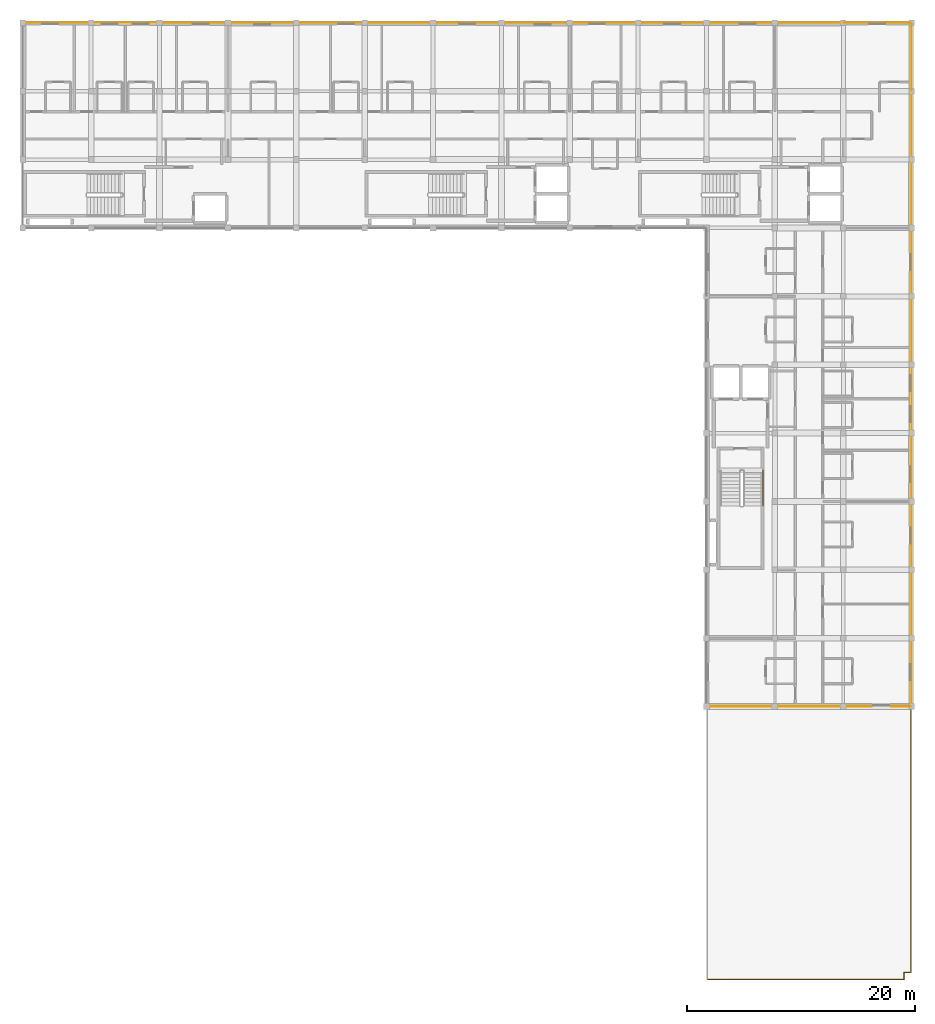
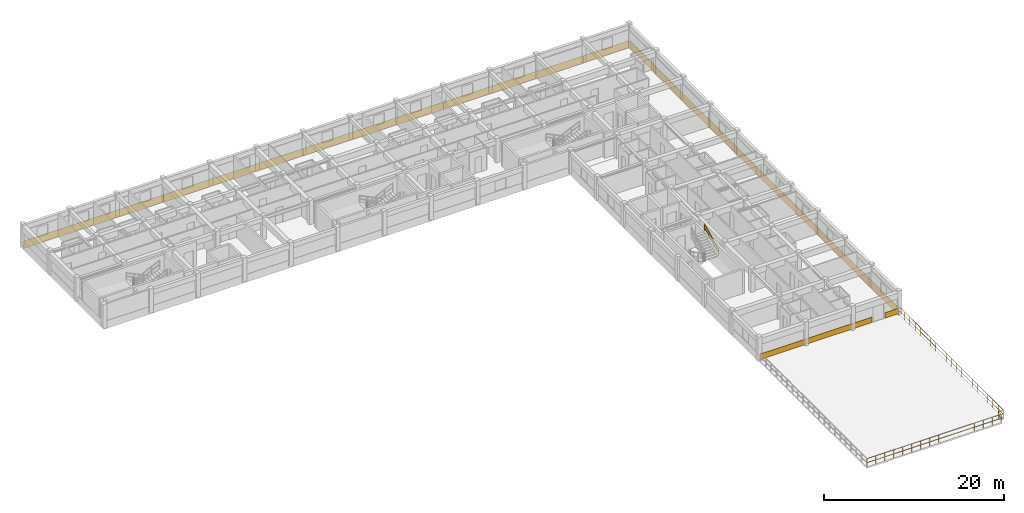
# One storey, part 14 of 14: 11 coverings, 2 railings.
"""IFC4 building model written with IfcOpenShell, lengths in metres."""

from ifc_helpers import new_model, si_unit, direction, frame, origin, origin_2d, place, context, subcontext, project, spatial, polyline, circle, outline, extrude, material, layer, layer_set, type_object, element, save


model = new_model("IFC4")

# Units and contexts
model_context = context("Model", 3, precision=1e-05, world=origin(), true_north=direction((0.0, 1.0)))
body_context = subcontext(model_context, "Body", "Model", "MODEL_VIEW")
ifc_project = project(units=[si_unit("LENGTHUNIT", "METRE"), si_unit("AREAUNIT", "SQUARE_METRE"), si_unit("VOLUMEUNIT", "CUBIC_METRE"), si_unit("PLANEANGLEUNIT", "RADIAN"), si_unit("MASSUNIT", "GRAM", prefix="KILO"), si_unit("THERMODYNAMICTEMPERATUREUNIT", "KELVIN"), si_unit("POWERUNIT", "WATT")], contexts=[model_context])

# Site, building, storey
site_placement = place(None, origin())
site = spatial("IfcSite", under=ifc_project, at=site_placement, CompositionType="ELEMENT")
building_placement = place(site_placement, origin())
building = spatial("IfcBuilding", under=site, at=building_placement, Name="Phaisarnlok Congress Hotel", CompositionType="ELEMENT")
storey_placement = place(building_placement, frame((0.0, 0.0, 44.699951171875)))
storey = spatial("IfcBuildingStorey", under=building, at=storey_placement, Name="L11", CompositionType="ELEMENT", Elevation=44.699951171875)

# Coverings
ifc_material_1 = material(Name="Anodised Silver Aluminium Alloy 6063-T6", Category="aluminium")
ifc_layer = layer(ifc_material_1, 0.031982421875, Name="Anodised Silver Aluminium Alloy 6063-T6")
ifc_layer_set = layer_set([ifc_layer], Name="Anodised Silver Aluminium Alloy 6063-T6")
covering_type = type_object("IfcCoveringType", Name="COV-SPAND-ALU", PredefinedType="CLADDING", material=ifc_layer_set)
for number, where, z_axis, x_axis, name in (
    (1, (120.06005859375, 125.9951171875, -0.280029296875), (0.0, 1.0, 0.0), (-1.0, 0.0, 0.0), "Swiss minimalist anodised silver rainscreen band CL-02 (L11 N)"),
    (2, (138.06005859375, 125.9951171875, -0.280029296875), (0.0, 1.0, 0.0), (-1.0, 0.0, 0.0), "Swiss minimalist anodised silver rainscreen band CL-02 (L11 N)"),
    (3, (156.06005859375, 125.9951171875, -0.280029296875), (0.0, 1.0, 0.0), (-1.0, 0.0, 0.0), "Swiss minimalist anodised silver rainscreen band CL-02 (L11 N)"),
    (4, (174.06005859375, 125.9951171875, -0.280029296875), (0.0, 1.0, 0.0), (-1.0, 0.0, 0.0), "Swiss minimalist anodised silver rainscreen band CL-02 (L11 N)"),
):
    element("IfcCovering", number, at=place(storey_placement, frame(where, z_axis=z_axis, x_axis=x_axis)), inside=storey, type_object=covering_type, Name=name, PredefinedType="CLADDING", context=body_context, shape_type="SweptSolid", body=[
        extrude(outline(polyline([(0.0, 0.0), (18.0, 0.0), (18.0, 1.050048828125), (0.0, 1.050048828125), (0.0, 0.0)])), origin(), (0.0, 0.0, 1.0), 0.031982421875),
    ])
covering_1_placement = place(storey_placement, frame((179.93994140625, 125.9951171875, -0.280029296875), z_axis=(0.0, 1.0, 0.0), x_axis=(-1.0, 0.0, 0.0)))
element("IfcCovering", 5, at=covering_1_placement, inside=storey, type_object=covering_type, Name="Swiss minimalist anodised silver rainscreen band CL-02 (L11 N)", PredefinedType="CLADDING", context=body_context, shape_type="SweptSolid", body=[
    extrude(outline(polyline([(0.0, 0.0), (5.8798828125, 0.0), (5.8798828125, 1.050048828125), (0.0, 1.050048828125), (0.0, 0.0)])), origin(), (0.0, 0.0, 1.0), 0.031982421875),
])
for number, where, z_axis, x_axis, name in (
    (6, (179.9951171875, 66.06005859375, -0.280029296875), (1.0, 0.0, 0.0), (0.0, 1.0, 0.0), "Swiss minimalist anodised silver rainscreen band CL-02 (L11 E)"),
    (7, (179.9951171875, 84.06005859375, -0.280029296875), (1.0, 0.0, 0.0), (0.0, 1.0, 0.0), "Swiss minimalist anodised silver rainscreen band CL-02 (L11 E)"),
    (8, (179.9951171875, 102.06005859375, -0.280029296875), (1.0, 0.0, 0.0), (0.0, 1.0, 0.0), "Swiss minimalist anodised silver rainscreen band CL-02 (L11 E)"),
):
    element("IfcCovering", number, at=place(storey_placement, frame(where, z_axis=z_axis, x_axis=x_axis)), inside=storey, type_object=covering_type, Name=name, PredefinedType="CLADDING", context=body_context, shape_type="SweptSolid", body=[
        extrude(outline(polyline([(0.0, 0.0), (18.0, 0.0), (18.0, 1.050048828125), (0.0, 1.050048828125), (0.0, 0.0)])), origin(), (0.0, 0.0, 1.0), 0.031982421875),
    ])
covering_2_placement = place(storey_placement, frame((179.9951171875, 120.06005859375, -0.280029296875), z_axis=(1.0, 0.0, 0.0), x_axis=(0.0, 1.0, 0.0)))
element("IfcCovering", 9, at=covering_2_placement, inside=storey, type_object=covering_type, Name="Swiss minimalist anodised silver rainscreen band CL-02 (L11 E)", PredefinedType="CLADDING", context=body_context, shape_type="SweptSolid", body=[
    extrude(outline(polyline([(0.0, 0.0), (5.8798828125, 0.0), (5.8798828125, 1.050048828125), (0.0, 1.050048828125), (0.0, 0.0)])), origin(), (0.0, 0.0, 1.0), 0.031982421875),
])
covering_3_placement = place(storey_placement, frame((162.06005859375, 66.0048828125, 0.02001953125), z_axis=(0.0, -1.0, 0.0), x_axis=(1.0, 0.0, 0.0)))
element("IfcCovering", 10, at=covering_3_placement, inside=storey, type_object=covering_type, Name="Swiss minimalist anodised silver rainscreen band CL-02 (L11 SG)", PredefinedType="CLADDING", context=body_context, shape_type="SweptSolid", body=[
    extrude(outline(polyline([(0.0, 0.0), (14.429931640625, 0.0), (14.429931640625, 0.75), (0.0, 0.75), (0.0, 0.0)])), origin(), (0.0, 0.0, 1.0), 0.031982421875),
])
covering_4_placement = place(storey_placement, frame((178.2099609375, 66.0048828125, 0.02001953125), z_axis=(0.0, -1.0, 0.0), x_axis=(1.0, 0.0, 0.0)))
element("IfcCovering", 11, at=covering_4_placement, inside=storey, type_object=covering_type, Name="Swiss minimalist anodised silver rainscreen band CL-02 (L11 SG)", PredefinedType="CLADDING", context=body_context, shape_type="SweptSolid", body=[
    extrude(outline(polyline([(0.0, 0.0), (1.72998046875, 0.0), (1.72998046875, 0.75), (0.0, 0.75), (0.0, 0.0)])), origin(), (0.0, 0.0, 1.0), 0.031982421875),
])

# Railings
ifc_material_2 = material(Name="Brushed Stainless Steel Grade 304", Category="steel")
railing_type_1 = type_object("IfcRailingType", Name="RLG-STR-HRAIL", PredefinedType="HANDRAIL", material=ifc_material_2)
railing_1_placement = place(storey_placement, frame((166.949951171875, 83.6201171875, 1.800048828125)))
element("IfcRailing", 12, at=railing_1_placement, inside=storey, type_object=railing_type_1, Name="L11 ST-09 stair handrail 2", PredefinedType="HANDRAIL", context=body_context, shape_type="SweptSolid", body=[
    extrude(circle(Radius=0.02392578125, at=origin_2d()), frame((0.0, 0.0, 0.8759765625), z_axis=(0.0, 0.900151181449, 0.435577605641), x_axis=(-1.0, 0.0, 0.0)), (0.0, 0.0, 1.0), 3.443603515625),
    extrude(circle(Radius=0.02392578125, at=origin_2d()), frame((0.0, 0.0, 0.42578125), z_axis=(0.0, 0.900151181449, 0.435577605641), x_axis=(-1.0, 0.0, 0.0)), (0.0, 0.0, 1.0), 3.443603515625),
    extrude(circle(Radius=0.02099609375, at=origin_2d()), origin(), (0.0, 0.0, 1.0), 0.851806640625),
    extrude(circle(Radius=0.02099609375, at=origin_2d()), frame((0.0, 1.033203125, 0.5)), (0.0, 0.0, 1.0), 0.851806640625),
    extrude(circle(Radius=0.02099609375, at=origin_2d()), frame((0.0, 2.066650390625, 1.0)), (0.0, 0.0, 1.0), 0.851806640625),
    extrude(circle(Radius=0.02099609375, at=origin_2d()), frame((0.0, 3.099853515625, 1.5)), (0.0, 0.0, 1.0), 0.851806640625),
])
ifc_material_3 = material(Name="Laminated Glass & Stainless Steel Grade 316", Category="steel")
railing_type_2 = type_object("IfcRailingType", Name="RLG-TER-1100", PredefinedType="BALUSTRADE", material=ifc_material_3)
railing_2_placement = place(storey_placement, frame((179.93994140625, 65.760009765625, 0.0)))
element("IfcRailing", 13, at=railing_2_placement, inside=storey, type_object=railing_type_2, Name="Terrace balustrade guard GD-01 (L11 sky_terrace_s11)", PredefinedType="BALUSTRADE", context=body_context, shape_type="SweptSolid", body=[
    extrude(circle(Radius=0.02392578125, at=origin_2d()), frame((0.0, 0.0, 1.076171875), z_axis=(0.0, -1.0, 0.0), x_axis=(1.0, 0.0, 0.0)), (0.0, 0.0, 1.0), 23.10009765625),
    extrude(circle(Radius=0.02392578125, at=origin_2d()), frame((0.0, 0.0, 0.52587890625), z_axis=(0.0, -1.0, 0.0), x_axis=(1.0, 0.0, 0.0)), (0.0, 0.0, 1.0), 23.10009765625),
    extrude(circle(Radius=0.02392578125, at=origin_2d()), frame((0.0, -23.10009765625, 1.076171875), z_axis=(-1.0, 0.0, 0.0), x_axis=(0.0, -1.0, 0.0)), (0.0, 0.0, 1.0), 0.599853515625),
    extrude(circle(Radius=0.02392578125, at=origin_2d()), frame((0.0, -23.10009765625, 0.52587890625), z_axis=(-1.0, 0.0, 0.0), x_axis=(0.0, -1.0, 0.0)), (0.0, 0.0, 1.0), 0.599853515625),
    extrude(circle(Radius=0.02392578125, at=origin_2d()), frame((-0.599853515625, -23.10009765625, 1.076171875), z_axis=(0.0, -1.0, 0.0), x_axis=(1.0, 0.0, 0.0)), (0.0, 0.0, 1.0), 0.599853515625),
    extrude(circle(Radius=0.02392578125, at=origin_2d()), frame((-0.599853515625, -23.10009765625, 0.52587890625), z_axis=(0.0, -1.0, 0.0), x_axis=(1.0, 0.0, 0.0)), (0.0, 0.0, 1.0), 0.599853515625),
    extrude(circle(Radius=0.02392578125, at=origin_2d()), frame((-0.599853515625, -23.699951171875, 1.076171875), z_axis=(-1.0, 0.0, 0.0), x_axis=(0.0, -1.0, 0.0)), (0.0, 0.0, 1.0), 17.280029296875),
    extrude(circle(Radius=0.02392578125, at=origin_2d()), frame((-0.599853515625, -23.699951171875, 0.52587890625), z_axis=(-1.0, 0.0, 0.0), x_axis=(0.0, -1.0, 0.0)), (0.0, 0.0, 1.0), 17.280029296875),
    extrude(circle(Radius=0.02099609375, at=origin_2d()), origin(), (0.0, 0.0, 1.0), 1.052001953125),
    extrude(circle(Radius=0.02099609375, at=origin_2d()), frame((0.0, -1.155029296875, 0.0)), (0.0, 0.0, 1.0), 1.052001953125),
    extrude(circle(Radius=0.02099609375, at=origin_2d()), frame((0.0, -2.31005859375, 0.0)), (0.0, 0.0, 1.0), 1.052001953125),
    extrude(circle(Radius=0.02099609375, at=origin_2d()), frame((0.0, -3.465087890625, 0.0)), (0.0, 0.0, 1.0), 1.052001953125),
    extrude(circle(Radius=0.02099609375, at=origin_2d()), frame((0.0, -4.6201171875, 0.0)), (0.0, 0.0, 1.0), 1.052001953125),
    extrude(circle(Radius=0.02099609375, at=origin_2d()), frame((0.0, -5.77490234375, 0.0)), (0.0, 0.0, 1.0), 1.052001953125),
    extrude(circle(Radius=0.02099609375, at=origin_2d()), frame((0.0, -6.929931640625, 0.0)), (0.0, 0.0, 1.0), 1.052001953125),
    extrude(circle(Radius=0.02099609375, at=origin_2d()), frame((0.0, -8.0849609375, 0.0)), (0.0, 0.0, 1.0), 1.052001953125),
    extrude(circle(Radius=0.02099609375, at=origin_2d()), frame((0.0, -9.239990234375, 0.0)), (0.0, 0.0, 1.0), 1.052001953125),
    extrude(circle(Radius=0.02099609375, at=origin_2d()), frame((0.0, -10.39501953125, 0.0)), (0.0, 0.0, 1.0), 1.052001953125),
    extrude(circle(Radius=0.02099609375, at=origin_2d()), frame((0.0, -11.550048828125, 0.0)), (0.0, 0.0, 1.0), 1.052001953125),
    extrude(circle(Radius=0.02099609375, at=origin_2d()), frame((0.0, -12.705078125, 0.0)), (0.0, 0.0, 1.0), 1.052001953125),
    extrude(circle(Radius=0.02099609375, at=origin_2d()), frame((0.0, -13.860107421875, 0.0)), (0.0, 0.0, 1.0), 1.052001953125),
    extrude(circle(Radius=0.02099609375, at=origin_2d()), frame((0.0, -15.01513671875, 0.0)), (0.0, 0.0, 1.0), 1.052001953125),
    extrude(circle(Radius=0.02099609375, at=origin_2d()), frame((0.0, -16.170166015625, 0.0)), (0.0, 0.0, 1.0), 1.052001953125),
    extrude(circle(Radius=0.02099609375, at=origin_2d()), frame((0.0, -17.3251953125, 0.0)), (0.0, 0.0, 1.0), 1.052001953125),
    extrude(circle(Radius=0.02099609375, at=origin_2d()), frame((0.0, -18.47998046875, 0.0)), (0.0, 0.0, 1.0), 1.052001953125),
    extrude(circle(Radius=0.02099609375, at=origin_2d()), frame((0.0, -19.635009765625, 0.0)), (0.0, 0.0, 1.0), 1.052001953125),
    extrude(circle(Radius=0.02099609375, at=origin_2d()), frame((0.0, -20.7900390625, 0.0)), (0.0, 0.0, 1.0), 1.052001953125),
    extrude(circle(Radius=0.02099609375, at=origin_2d()), frame((0.0, -21.945068359375, 0.0)), (0.0, 0.0, 1.0), 1.052001953125),
    extrude(circle(Radius=0.02099609375, at=origin_2d()), frame((0.0, -23.10009765625, 0.0)), (0.0, 0.0, 1.0), 1.052001953125),
    extrude(circle(Radius=0.02099609375, at=origin_2d()), frame((-0.599853515625, -23.10009765625, 0.0)), (0.0, 0.0, 1.0), 1.052001953125),
    extrude(circle(Radius=0.02099609375, at=origin_2d()), frame((-0.599853515625, -23.699951171875, 0.0)), (0.0, 0.0, 1.0), 1.052001953125),
    extrude(circle(Radius=0.02099609375, at=origin_2d()), frame((-1.751953125, -23.699951171875, 0.0)), (0.0, 0.0, 1.0), 1.052001953125),
    extrude(circle(Radius=0.02099609375, at=origin_2d()), frame((-2.90380859375, -23.699951171875, 0.0)), (0.0, 0.0, 1.0), 1.052001953125),
    extrude(circle(Radius=0.02099609375, at=origin_2d()), frame((-4.055908203125, -23.699951171875, 0.0)), (0.0, 0.0, 1.0), 1.052001953125),
    extrude(circle(Radius=0.02099609375, at=origin_2d()), frame((-5.207763671875, -23.699951171875, 0.0)), (0.0, 0.0, 1.0), 1.052001953125),
    extrude(circle(Radius=0.02099609375, at=origin_2d()), frame((-6.35986328125, -23.699951171875, 0.0)), (0.0, 0.0, 1.0), 1.052001953125),
    extrude(circle(Radius=0.02099609375, at=origin_2d()), frame((-7.511962890625, -23.699951171875, 0.0)), (0.0, 0.0, 1.0), 1.052001953125),
    extrude(circle(Radius=0.02099609375, at=origin_2d()), frame((-8.663818359375, -23.699951171875, 0.0)), (0.0, 0.0, 1.0), 1.052001953125),
    extrude(circle(Radius=0.02099609375, at=origin_2d()), frame((-9.81591796875, -23.699951171875, 0.0)), (0.0, 0.0, 1.0), 1.052001953125),
    extrude(circle(Radius=0.02099609375, at=origin_2d()), frame((-10.9677734375, -23.699951171875, 0.0)), (0.0, 0.0, 1.0), 1.052001953125),
    extrude(circle(Radius=0.02099609375, at=origin_2d()), frame((-12.119873046875, -23.699951171875, 0.0)), (0.0, 0.0, 1.0), 1.052001953125),
    extrude(circle(Radius=0.02099609375, at=origin_2d()), frame((-13.27197265625, -23.699951171875, 0.0)), (0.0, 0.0, 1.0), 1.052001953125),
    extrude(circle(Radius=0.02099609375, at=origin_2d()), frame((-14.423828125, -23.699951171875, 0.0)), (0.0, 0.0, 1.0), 1.052001953125),
    extrude(circle(Radius=0.02099609375, at=origin_2d()), frame((-15.575927734375, -23.699951171875, 0.0)), (0.0, 0.0, 1.0), 1.052001953125),
    extrude(circle(Radius=0.02099609375, at=origin_2d()), frame((-16.727783203125, -23.699951171875, 0.0)), (0.0, 0.0, 1.0), 1.052001953125),
    extrude(circle(Radius=0.02099609375, at=origin_2d()), frame((-17.8798828125, -23.699951171875, 0.0)), (0.0, 0.0, 1.0), 1.052001953125),
])

save(model, "model.ifc")
